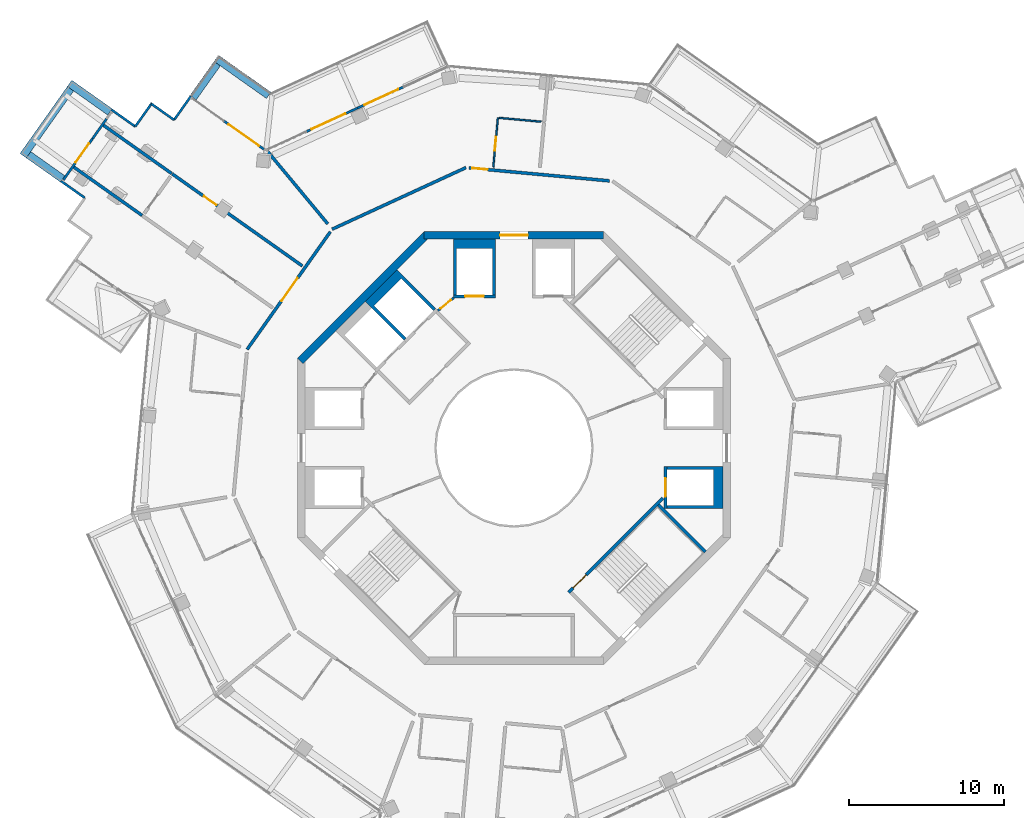
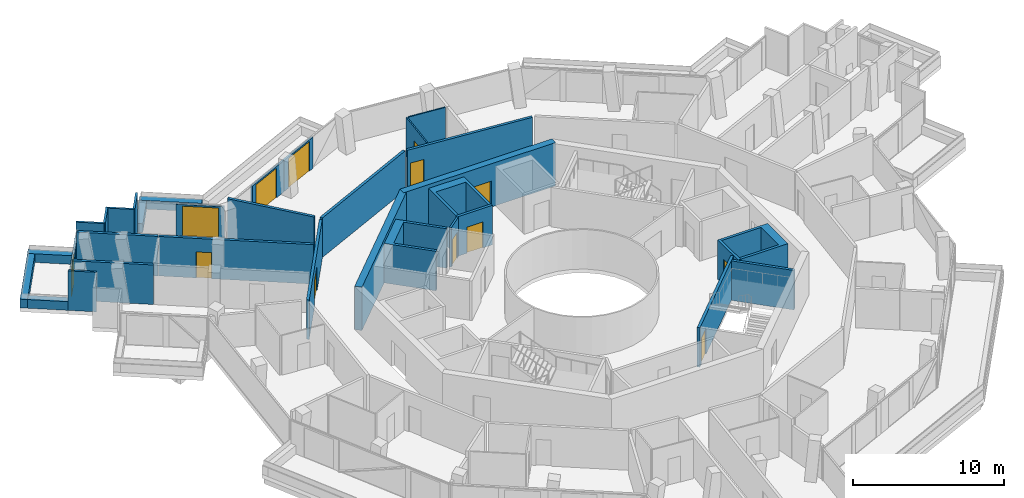
# One storey, part 18 of 23: 34 walls, 13 doors, 13 openings.
"""IFC4 building model written with IfcOpenShell, lengths in metres."""

from ifc_helpers import new_model, si_unit, direction, frame, frame_2d, origin, place, context, subcontext, project, spatial, polyline, rectangle, outline, extrude, material, layer, layer_set, type_object, element, fill, save


model = new_model("IFC4")

# Units and contexts
model_context = context("Model", 3, precision=1e-05, world=origin(), true_north=direction((0.0, 1.0)))
body_context = subcontext(model_context, "Body", "Model", "MODEL_VIEW")
ifc_project = project(units=[si_unit("LENGTHUNIT", "METRE"), si_unit("AREAUNIT", "SQUARE_METRE"), si_unit("VOLUMEUNIT", "CUBIC_METRE"), si_unit("PLANEANGLEUNIT", "RADIAN"), si_unit("MASSUNIT", "GRAM", prefix="KILO")], contexts=[model_context])

# Site, building, storey
site_placement = place(None, origin())
site = spatial("IfcSite", under=ifc_project, at=site_placement, CompositionType="ELEMENT")
building_placement = place(site_placement, origin())
building = spatial("IfcBuilding", under=site, at=building_placement, Name="Verdalira Terraces Hotel", CompositionType="ELEMENT")
storey_placement = place(building_placement, frame((0.0, 0.0, 256.0)))
storey = spatial("IfcBuildingStorey", under=building, at=storey_placement, Name="L63", CompositionType="ELEMENT", Elevation=256.0)

# Walls
ifc_material_1 = material(Name="Concrete C40", Category="concrete")
ifc_layer_1 = layer(ifc_material_1, 0.5)
ifc_layer_set_1 = layer_set([ifc_layer_1], Name="Balcony planter trough with tree")
wall_type_1 = type_object("IfcWallType", Name="Balcony planter trough with tree", PredefinedType="SOLIDWALL", material=ifc_layer_set_1)
wall_1_placement = place(storey_placement, frame((-26.106689, 21.717041, 0.0), z_axis=(0.0, 0.0, 1.0), x_axis=(-0.816349819, 0.577557766, 0.0)))
element("IfcWall", 1, at=wall_1_placement, inside=storey, type_object=wall_type_1, Name="Balcony planter", PredefinedType="SOLIDWALL", context=body_context, shape_type="SweptSolid", body=[
    extrude(rectangle(XDim=3.198975, YDim=0.5, at=frame_2d((1.599609, 0.0))), origin(), (0.0, 0.0, 1.0), 0.699951),
])
wall_2_placement = place(storey_placement, frame((-28.658447, 23.216309, 0.0), z_axis=(0.0, 0.0, 1.0), x_axis=(-0.577554581, -0.816352072, 0.0)))
element("IfcWall", 2, at=wall_2_placement, inside=storey, type_object=wall_type_1, Name="Balcony planter", PredefinedType="SOLIDWALL", context=body_context, shape_type="SweptSolid", body=[
    extrude(rectangle(XDim=5.300049, YDim=0.5, at=frame_2d((2.649902, 0.0))), origin(), (0.0, 0.0, 1.0), 0.699951),
])
wall_3_placement = place(storey_placement, frame((-31.371094, 18.949463, 0.0), z_axis=(0.0, 0.0, 1.0), x_axis=(0.816310579, -0.577613225, 0.0)))
element("IfcWall", 3, at=wall_3_placement, inside=storey, type_object=wall_type_1, Name="Balcony planter", PredefinedType="SOLIDWALL", context=body_context, shape_type="SweptSolid", body=[
    extrude(rectangle(XDim=2.699219, YDim=0.5, at=frame_2d((1.349609, 0.0))), origin(), (0.0, 0.0, 1.0), 0.699951),
])
wall_4_placement = place(storey_placement, frame((-15.853271, 22.79248, 0.0), z_axis=(0.0, 0.0, 1.0), x_axis=(-0.816345925, 0.57756327, 0.0)))
element("IfcWall", 4, at=wall_4_placement, inside=storey, type_object=wall_type_1, Name="Balcony planter", PredefinedType="SOLIDWALL", context=body_context, shape_type="SweptSolid", body=[
    extrude(rectangle(XDim=4.147949, YDim=0.5, at=frame_2d((2.073975, 0.0))), origin(), (0.0, 0.0, 1.0), 0.699951),
])
wall_5_placement = place(storey_placement, frame((-19.179932, 24.839844, 0.0), z_axis=(0.0, 0.0, 1.0), x_axis=(-0.577552948, -0.816353227, 0.0)))
element("IfcWall", 5, at=wall_5_placement, inside=storey, type_object=wall_type_1, Name="Balcony planter", PredefinedType="SOLIDWALL", context=body_context, shape_type="SweptSolid", body=[
    extrude(rectangle(XDim=2.698975, YDim=0.5, at=frame_2d((1.349609, 0.0))), origin(), (0.0, 0.0, 1.0), 0.699951),
])

# Wall, opening, door
ifc_material_2 = material(Name="Moisture-resistant gypsum board partition")
ifc_layer_2 = layer(ifc_material_2, 0.10009765625)
ifc_layer_set_2 = layer_set([ifc_layer_2], Name="Bathroom partition 100 mm")
wall_type_2 = type_object("IfcWallType", Name="Bathroom partition 100 mm", PredefinedType="PARTITIONING", material=ifc_layer_set_2)
wall_6_placement = place(storey_placement, frame((-1.040283, 21.344482, 0.0), z_axis=(0.0, 0.0, 1.0), x_axis=(-0.09201469, -0.99575765, 0.0)))
wall_6 = element("IfcWall", 6, at=wall_6_placement, inside=storey, type_object=wall_type_2, Name="Bathroom partition", PredefinedType="PARTITIONING", context=body_context, shape_type="SweptSolid", body=[
    extrude(rectangle(XDim=3.199951, YDim=0.100098, at=frame_2d((1.600098, 0.0))), origin(), (0.0, 0.0, 1.0), 3.189941),
])
opening_1_placement = place(wall_6_placement, frame((1.25, 0.0, 0.0)))
opening_1 = element("IfcOpeningElement", 7, at=opening_1_placement, cuts=wall_6, Name="Opening L63-128", PredefinedType="OPENING", context=body_context, shape_type="SweptSolid", body=[
    extrude(rectangle(XDim=0.899902, YDim=2.100098, at=frame_2d((0.449951, 1.050049))), frame((0.0, 0.060059, 0.0), z_axis=(0.0, -1.0, 0.0), x_axis=(1.0, 0.0, 0.0)), (0.0, 0.0, 1.0), 0.120117),
])
ifc_material_3 = material(Name="Timber door", Category="wood")
door_type_1 = type_object("IfcDoorType", Name="Bathroom door 900 x 2100", OperationType="NOTDEFINED", PredefinedType="DOOR", material=ifc_material_3)
door_1_placement = place(opening_1_placement, origin())
door_1 = element("IfcDoor", 8, at=door_1_placement, inside=storey, type_object=door_type_1, Name="Bathroom door 6312", OperationType="SINGLE_SWING_LEFT", OverallHeight=2.10009765625, OverallWidth=0.89990234375, PredefinedType="DOOR", context=body_context, shape_type="SweptSolid", body=[
    extrude(rectangle(XDim=0.899902, YDim=2.100098, at=frame_2d((0.449951, 1.050049))), frame((0.0, 0.024902, 0.0), z_axis=(0.0, -1.0, 0.0), x_axis=(1.0, 0.0, 0.0)), (0.0, 0.0, 1.0), 0.050049),
])
fill(opening_1, door_1)

# Walls
wall_7_placement = place(storey_placement, frame((-0.940674, 21.335449, 0.0), z_axis=(0.0, 0.0, 1.0), x_axis=(0.995754192, -0.092052104, 0.0)))
element("IfcWall", 9, at=wall_7_placement, inside=storey, type_object=wall_type_2, Name="Bathroom partition", PredefinedType="PARTITIONING", context=body_context, shape_type="SweptSolid", body=[
    extrude(rectangle(XDim=2.699951, YDim=0.100098, at=frame_2d((1.350098, 0.0))), origin(), (0.0, 0.0, 1.0), 3.189941),
])
ifc_material_4 = material(Name="Concrete C50", Category="concrete")
ifc_layer_3 = layer(ifc_material_4, 0.199951171875)
ifc_layer_set_3 = layer_set([ifc_layer_3], Name="Core RC wall 200 C50")
wall_type_3 = type_object("IfcWallType", Name="Core RC wall 200 C50", PredefinedType="SOLIDWALL", material=ifc_layer_set_3)
wall_8_placement = place(storey_placement, origin())
element("IfcWall", 10, at=wall_8_placement, inside=storey, type_object=wall_type_3, Name="L63 shaft wall E1", PredefinedType="SOLIDWALL", context=body_context, shape_type="SweptSolid", body=[
    extrude(outline(polyline([(13.5, -3.899902), (9.899902, -3.899902), (9.899902, -3.699951), (12.899902, -3.699951), (12.899902, -1.399902), (9.899902, -1.399902), (9.899902, -1.199951), (13.5, -1.199951), (13.5, -3.899902)])), origin(), (0.0, 0.0, 1.0), 3.189941),
])

# Wall, opening, door
wall_9_placement = place(storey_placement, frame((9.800049, -1.199951, 0.0), z_axis=(0.0, 0.0, 1.0), x_axis=(0.0, -1.0, 0.0)))
wall_9 = element("IfcWall", 11, at=wall_9_placement, inside=storey, type_object=wall_type_3, Name="L63 shaft front wall E1", PredefinedType="SOLIDWALL", context=body_context, shape_type="SweptSolid", body=[
    extrude(rectangle(XDim=2.699951, YDim=0.199951, at=frame_2d((1.350098, 0.0))), origin(), (0.0, 0.0, 1.0), 3.189941),
])
opening_2_placement = place(wall_9_placement, frame((0.75, 0.0, 0.0)))
opening_2 = element("IfcOpeningElement", 12, at=opening_2_placement, cuts=wall_9, Name="Opening LD-L63-802", PredefinedType="OPENING", context=body_context, shape_type="SweptSolid", body=[
    extrude(rectangle(XDim=1.199951, YDim=2.100098, at=frame_2d((0.600098, 1.050049))), frame((0.0, 0.109863, 0.0), z_axis=(0.0, -1.0, 0.0), x_axis=(1.0, 0.0, 0.0)), (0.0, 0.0, 1.0), 0.219971),
])
ifc_material_5 = material(Name="Stainless steel", Category="steel")
door_type_2 = type_object("IfcDoorType", Name="Landing door 1200 x 2100", OperationType="NOTDEFINED", PredefinedType="DOOR", material=ifc_material_5)
door_2_placement = place(opening_2_placement, origin())
door_2 = element("IfcDoor", 13, at=door_2_placement, inside=storey, type_object=door_type_2, Name="Lift landing door HR1 L63", OperationType="DOUBLE_DOOR_SLIDING", OverallHeight=2.10009765625, OverallWidth=1.199951171875, PredefinedType="DOOR", context=body_context, shape_type="SweptSolid", body=[
    extrude(rectangle(XDim=1.199951, YDim=2.100098, at=frame_2d((0.600098, 1.050049))), frame((0.0, 0.024902, 0.0), z_axis=(0.0, -1.0, 0.0), x_axis=(1.0, 0.0, 0.0)), (0.0, 0.0, 1.0), 0.050049),
])
fill(opening_2, door_2)

# Wall
wall_10_placement = place(storey_placement, origin())
element("IfcWall", 14, at=wall_10_placement, inside=storey, type_object=wall_type_3, Name="L63 shaft wall N2", PredefinedType="SOLIDWALL", context=body_context, shape_type="SweptSolid", body=[
    extrude(outline(polyline([(-3.899902, 13.5), (-1.199951, 13.5), (-1.199951, 9.899902), (-1.399902, 9.899902), (-1.399902, 12.899902), (-3.699951, 12.899902), (-3.699951, 9.899902), (-3.899902, 9.899902), (-3.899902, 13.5)])), origin(), (0.0, 0.0, 1.0), 3.189941),
])

# Wall, opening, door
wall_11_placement = place(storey_placement, frame((-1.199951, 9.800049, 0.0), z_axis=(0.0, 0.0, 1.0), x_axis=(-1.0, 0.0, 0.0)))
wall_11 = element("IfcWall", 15, at=wall_11_placement, inside=storey, type_object=wall_type_3, Name="L63 shaft front wall N2", PredefinedType="SOLIDWALL", context=body_context, shape_type="SweptSolid", body=[
    extrude(rectangle(XDim=2.699951, YDim=0.199951, at=frame_2d((1.350098, 0.0))), origin(), (0.0, 0.0, 1.0), 3.189941),
])
opening_3_placement = place(wall_11_placement, frame((0.75, 0.0, 0.0)))
opening_3 = element("IfcOpeningElement", 16, at=opening_3_placement, cuts=wall_11, Name="Opening LD-L63-805", PredefinedType="OPENING", context=body_context, shape_type="SweptSolid", body=[
    extrude(rectangle(XDim=1.199951, YDim=2.100098, at=frame_2d((0.600098, 1.050049))), frame((0.0, 0.109863, 0.0), z_axis=(0.0, -1.0, 0.0), x_axis=(1.0, 0.0, 0.0)), (0.0, 0.0, 1.0), 0.219971),
])
door_3_placement = place(opening_3_placement, origin())
door_3 = element("IfcDoor", 17, at=door_3_placement, inside=storey, type_object=door_type_2, Name="Lift landing door HR4 L63", OperationType="DOUBLE_DOOR_SLIDING", OverallHeight=2.10009765625, OverallWidth=1.199951171875, PredefinedType="DOOR", context=body_context, shape_type="SweptSolid", body=[
    extrude(rectangle(XDim=1.199951, YDim=2.100098, at=frame_2d((0.600098, 1.050049))), frame((0.0, 0.024902, 0.0), z_axis=(0.0, -1.0, 0.0), x_axis=(1.0, 0.0, 0.0)), (0.0, 0.0, 1.0), 0.050049),
])
fill(opening_3, door_3)

# Wall
wall_12_placement = place(storey_placement, origin())
element("IfcWall", 18, at=wall_12_placement, inside=storey, type_object=wall_type_3, Name="L63 shaft wall F1", PredefinedType="SOLIDWALL", context=body_context, shape_type="SweptSolid", body=[
    extrude(outline(polyline([(-9.616699, 9.475098), (-7.565918, 11.525879), (-5.055908, 9.015625), (-5.197266, 8.874268), (-7.283203, 10.960205), (-9.051025, 9.192383), (-6.965088, 7.106445), (-7.106445, 6.965088), (-9.616699, 9.475098)])), origin(), (0.0, 0.0, 1.0), 3.189941),
])

# Wall, opening, door
wall_13_placement = place(storey_placement, frame((9.629395, -3.23999, 0.0), z_axis=(0.0, 0.0, 1.0), x_axis=(-0.707120946, -0.707092617, 0.0)))
wall_13 = element("IfcWall", 19, at=wall_13_placement, inside=storey, type_object=wall_type_3, Name="L63 stair ST3 front wall", PredefinedType="SOLIDWALL", context=body_context, shape_type="SweptSolid", body=[
    extrude(rectangle(XDim=8.61792, YDim=0.199951, at=frame_2d((4.309082, 0.0))), origin(), (0.0, 0.0, 1.0), 3.189941),
])
opening_4_placement = place(wall_13_placement, frame((7.017822, 0.0, 0.0)))
opening_4 = element("IfcOpeningElement", 20, at=opening_4_placement, cuts=wall_13, Name="Opening L63-812", PredefinedType="OPENING", context=body_context, shape_type="SweptSolid", body=[
    extrude(rectangle(XDim=1.199951, YDim=2.100098, at=frame_2d((0.600098, 1.050049))), frame((0.0, 0.109863, 0.0), z_axis=(0.0, -1.0, 0.0), x_axis=(1.0, 0.0, 0.0)), (0.0, 0.0, 1.0), 0.219971),
])
ifc_material_6 = material(Name="Steel fire door", Category="steel")
door_type_3 = type_object("IfcDoorType", Name="Stair door 1200 x 2100", OperationType="NOTDEFINED", PredefinedType="DOOR", material=ifc_material_6)
door_4_placement = place(opening_4_placement, origin())
door_4 = element("IfcDoor", 21, at=door_4_placement, inside=storey, type_object=door_type_3, Name="Stair door ST3 L63", OperationType="SINGLE_SWING_RIGHT", OverallHeight=2.10009765625, OverallWidth=1.199951171875, PredefinedType="DOOR", context=body_context, shape_type="SweptSolid", body=[
    extrude(rectangle(XDim=1.199951, YDim=2.100098, at=frame_2d((0.600098, 1.050049))), frame((0.0, 0.024902, 0.0), z_axis=(0.0, -1.0, 0.0), x_axis=(1.0, 0.0, 0.0)), (0.0, 0.0, 1.0), 0.050049),
])
fill(opening_4, door_4)

# Wall
wall_14_placement = place(storey_placement, frame((9.33374, -3.677002, 0.0), z_axis=(0.0, 0.0, 1.0), x_axis=(0.707135168, -0.707078393, 0.0)))
element("IfcWall", 22, at=wall_14_placement, inside=storey, type_object=wall_type_3, Name="L63 stair ST3 end wall 2", PredefinedType="SOLIDWALL", context=body_context, shape_type="SweptSolid", body=[
    extrude(rectangle(XDim=4.300049, YDim=0.199951, at=frame_2d((2.149902, 0.0))), origin(), (0.0, 0.0, 1.0), 3.189941),
])

# Wall, opening, door
ifc_material_7 = material(Name="Gypsum board partition")
ifc_layer_4 = layer(ifc_material_7, 0.14990234375)
ifc_layer_set_4 = layer_set([ifc_layer_4], Name="Core partition 150 mm")
wall_type_4 = type_object("IfcWallType", Name="Core partition 150 mm", PredefinedType="PARTITIONING", material=ifc_layer_set_4)
wall_15_placement = place(storey_placement, frame((-3.899902, 9.699951, 0.0), z_axis=(0.0, 0.0, 1.0), x_axis=(-0.775559878, -0.631274009, 0.0)))
wall_15 = element("IfcWall", 23, at=wall_15_placement, inside=storey, type_object=wall_type_4, Name="Room partition L63", PredefinedType="PARTITIONING", context=body_context, shape_type="SweptSolid", body=[
    extrude(rectangle(XDim=1.307861, YDim=0.149902, at=frame_2d((0.653809, 0.0))), origin(), (0.0, 0.0, 1.0), 3.189941),
])
opening_5_placement = place(wall_15_placement, frame((0.204102, 0.0, 0.0)))
opening_5 = element("IfcOpeningElement", 24, at=opening_5_placement, cuts=wall_15, Name="Opening L63-820", PredefinedType="OPENING", context=body_context, shape_type="SweptSolid", body=[
    extrude(rectangle(XDim=0.899902, YDim=2.100098, at=frame_2d((0.449951, 1.050049))), frame((0.0, 0.084961, 0.0), z_axis=(0.0, -1.0, 0.0), x_axis=(1.0, 0.0, 0.0)), (0.0, 0.0, 1.0), 0.169922),
])
ifc_material_8 = material(Name="Steel fire door", Category="steel")
door_type_4 = type_object("IfcDoorType", Name="Core room door 900 x 2100", OperationType="NOTDEFINED", PredefinedType="DOOR", material=ifc_material_8)
door_5_placement = place(opening_5_placement, origin())
door_5 = element("IfcDoor", 25, at=door_5_placement, inside=storey, type_object=door_type_4, Name="Door L63 room2", OperationType="SINGLE_SWING_LEFT", OverallHeight=2.10009765625, OverallWidth=0.89990234375, PredefinedType="DOOR", context=body_context, shape_type="SweptSolid", body=[
    extrude(rectangle(XDim=0.899902, YDim=2.100098, at=frame_2d((0.449951, 1.050049))), frame((0.0, 0.024902, 0.0), z_axis=(0.0, -1.0, 0.0), x_axis=(1.0, 0.0, 0.0)), (0.0, 0.0, 1.0), 0.050049),
])
fill(opening_5, door_5)

ifc_material_9 = material(Name="Concrete C50", Category="concrete")
ifc_layer_5 = layer(ifc_material_9, 0.5)
ifc_layer_set_5 = layer_set([ifc_layer_5], Name="Core wall 500 C50")
wall_type_5 = type_object("IfcWallType", Name="Core wall 500 C50", PredefinedType="SHEAR", material=ifc_layer_set_5)
wall_16_placement = place(storey_placement, frame((5.799072, 13.75, 0.0), z_axis=(0.0, 0.0, 1.0), x_axis=(-1.0, 0.0, 0.0)))
wall_16 = element("IfcWall", 26, at=wall_16_placement, inside=storey, type_object=wall_type_5, Name="Core wall CW-L63-3", PredefinedType="SHEAR", context=body_context, shape_type="SweptSolid", body=[
    extrude(rectangle(XDim=11.598145, YDim=0.5, at=frame_2d((5.799072, 0.0))), origin(), (0.0, 0.0, 1.0), 3.5),
])
opening_6_placement = place(wall_16_placement, frame((4.898926, 0.0, 0.0)))
opening_6 = element("IfcOpeningElement", 27, at=opening_6_placement, cuts=wall_16, Name="Opening L63-814", PredefinedType="OPENING", context=body_context, shape_type="SweptSolid", body=[
    extrude(rectangle(XDim=1.800049, YDim=2.100098, at=frame_2d((0.899902, 1.050049))), frame((0.0, 0.26001, 0.0), z_axis=(0.0, -1.0, 0.0), x_axis=(1.0, 0.0, 0.0)), (0.0, 0.0, 1.0), 0.52002),
])
ifc_material_10 = material(Name="Steel fire door", Category="steel")
door_type_5 = type_object("IfcDoorType", Name="Core entry door pair 1800 x 2100", OperationType="NOTDEFINED", PredefinedType="DOOR", material=ifc_material_10)
door_6_placement = place(opening_6_placement, origin())
door_6 = element("IfcDoor", 28, at=door_6_placement, inside=storey, type_object=door_type_5, Name="Core entry door L63 2", OperationType="DOUBLE_DOOR_SINGLE_SWING", OverallHeight=2.10009765625, OverallWidth=1.800048828125, PredefinedType="DOOR", context=body_context, shape_type="SweptSolid", body=[
    extrude(rectangle(XDim=1.800049, YDim=2.100098, at=frame_2d((0.899902, 1.050049))), frame((0.0, 0.024902, 0.0), z_axis=(0.0, -1.0, 0.0), x_axis=(1.0, 0.0, 0.0)), (0.0, 0.0, 1.0), 0.050049),
])
fill(opening_6, door_6)

# Walls
wall_17_placement = place(storey_placement, frame((-5.622314, 13.823242, 0.0), z_axis=(0.0, 0.0, 1.0), x_axis=(-0.707106781, -0.707106781, 0.0)))
element("IfcWall", 29, at=wall_17_placement, inside=storey, type_object=wall_type_5, Name="Core wall CW-L63-4", PredefinedType="SHEAR", context=body_context, shape_type="SweptSolid", body=[
    extrude(rectangle(XDim=11.5979, YDim=0.5, at=frame_2d((5.798828, 0.0))), origin(), (0.0, 0.0, 1.0), 3.5),
])
ifc_material_11 = material(Name="Fire-rated gypsum board wall")
ifc_layer_6 = layer(ifc_material_11, 0.199951171875)
ifc_layer_set_6 = layer_set([ifc_layer_6], Name="Demising wall 200 mm")
wall_type_6 = type_object("IfcWallType", Name="Demising wall 200 mm", PredefinedType="SOLIDWALL", material=ifc_layer_set_6)
for number, where, z_axis, x_axis, name in (
    (30, (-28.443848, 18.152344, 0.0), (0.0, 0.0, 1.0), (0.81633814, -0.577574273, 0.0), "Demising wall"),
    (31, (-22.122803, 17.740723, 0.0), (0.0, 0.0, 1.0), (-0.81633814, 0.577574273, 0.0), "Demising wall"),
):
    element("IfcWall", number, at=place(storey_placement, frame(where, z_axis=z_axis, x_axis=x_axis)), inside=storey, type_object=wall_type_6, Name=name, PredefinedType="SOLIDWALL", context=body_context, shape_type="SweptSolid", body=[
        extrude(rectangle(XDim=5.397949, YDim=0.199951, at=frame_2d((2.698975, 0.0))), origin(), (0.0, 0.0, 1.0), 3.189941),
    ])

# Wall, opening, door
wall_18_placement = place(storey_placement, frame((-22.085449, 17.714111, 0.0), z_axis=(0.0, 0.0, 1.0), x_axis=(0.816344784, -0.577564883, 0.0)))
wall_18 = element("IfcWall", 32, at=wall_18_placement, inside=storey, type_object=wall_type_6, Name="Demising wall", PredefinedType="SOLIDWALL", context=body_context, shape_type="SweptSolid", body=[
    extrude(rectangle(XDim=10.302246, YDim=0.199951, at=frame_2d((5.151123, 0.0))), origin(), (0.0, 0.0, 1.0), 3.189941),
])
opening_7_placement = place(wall_18_placement, frame((2.5, 0.0, 0.0)))
opening_7 = element("IfcOpeningElement", 33, at=opening_7_placement, cuts=wall_18, Name="Opening L63-102", PredefinedType="OPENING", context=body_context, shape_type="SweptSolid", body=[
    extrude(rectangle(XDim=1.0, YDim=2.100098, at=frame_2d((0.5, 1.050049))), frame((0.0, 0.109863, 0.0), z_axis=(0.0, -1.0, 0.0), x_axis=(1.0, 0.0, 0.0)), (0.0, 0.0, 1.0), 0.219971),
])
ifc_material_12 = material(Name="Timber fire door", Category="wood")
door_type_6 = type_object("IfcDoorType", Name="Public room door 1000 x 2100", OperationType="NOTDEFINED", PredefinedType="DOOR", material=ifc_material_12)
door_7_placement = place(opening_7_placement, origin())
door_7 = element("IfcDoor", 34, at=door_7_placement, inside=storey, type_object=door_type_6, Name="Public room door 6301", OperationType="SINGLE_SWING_LEFT", OverallHeight=2.10009765625, OverallWidth=1.0, PredefinedType="DOOR", context=body_context, shape_type="SweptSolid", body=[
    extrude(rectangle(XDim=1.0, YDim=2.100098, at=frame_2d((0.5, 1.050049))), frame((0.0, 0.024902, 0.0), z_axis=(0.0, -1.0, 0.0), x_axis=(1.0, 0.0, 0.0)), (0.0, 0.0, 1.0), 0.050049),
])
fill(opening_7, door_7)

# Wall
wall_19_placement = place(storey_placement, frame((-15.952881, 19.201904, 0.0), z_axis=(0.0, 0.0, 1.0), x_axis=(0.639032378, -0.769179836, 0.0)))
element("IfcWall", 35, at=wall_19_placement, inside=storey, type_object=wall_type_6, Name="Demising wall", PredefinedType="SOLIDWALL", context=body_context, shape_type="SweptSolid", body=[
    extrude(rectangle(XDim=6.132324, YDim=0.199951, at=frame_2d((3.066162, 0.0))), origin(), (0.0, 0.0, 1.0), 3.189941),
])

# Wall, opening, door
ifc_material_13 = material(Name="Fire-rated gypsum board wall")
ifc_layer_7 = layer(ifc_material_13, 0.199951171875)
ifc_layer_set_7 = layer_set([ifc_layer_7], Name="Guest corridor wall 200 mm")
wall_type_7 = type_object("IfcWallType", Name="Guest corridor wall 200 mm", PredefinedType="SOLIDWALL", material=ifc_layer_set_7)
wall_20_placement = place(storey_placement, frame((-17.245117, 6.372314, 0.0), z_axis=(0.0, 0.0, 1.0), x_axis=(0.577581016, 0.81633337, 0.0)))
wall_20 = element("IfcWall", 36, at=wall_20_placement, inside=storey, type_object=wall_type_7, Name="Guest corridor wall", PredefinedType="SOLIDWALL", context=body_context, shape_type="SweptSolid", body=[
    extrude(rectangle(XDim=9.31665, YDim=0.199951, at=frame_2d((4.658203, 0.0))), origin(), (0.0, 0.0, 1.0), 3.189941),
])
opening_8_placement = place(wall_20_placement, frame((3.848389, 0.0, 0.0)))
opening_8 = element("IfcOpeningElement", 37, at=opening_8_placement, cuts=wall_20, Name="Opening L63-101", PredefinedType="OPENING", context=body_context, shape_type="SweptSolid", body=[
    extrude(rectangle(XDim=1.800049, YDim=2.100098, at=frame_2d((0.899902, 1.050049))), frame((0.0, 0.109863, 0.0), z_axis=(0.0, -1.0, 0.0), x_axis=(1.0, 0.0, 0.0)), (0.0, 0.0, 1.0), 0.219971),
])
ifc_material_14 = material(Name="Timber fire door", Category="wood")
door_type_7 = type_object("IfcDoorType", Name="Public room double door 1800 x 2100", OperationType="NOTDEFINED", PredefinedType="DOOR", material=ifc_material_14)
door_8_placement = place(opening_8_placement, origin())
door_8 = element("IfcDoor", 38, at=door_8_placement, inside=storey, type_object=door_type_7, Name="Public room double door 6301", OperationType="DOUBLE_DOOR_SINGLE_SWING", OverallHeight=2.10009765625, OverallWidth=1.800048828125, PredefinedType="DOOR", context=body_context, shape_type="SweptSolid", body=[
    extrude(rectangle(XDim=1.800049, YDim=2.100098, at=frame_2d((0.899902, 1.050049))), frame((0.0, 0.024902, 0.0), z_axis=(0.0, -1.0, 0.0), x_axis=(1.0, 0.0, 0.0)), (0.0, 0.0, 1.0), 0.050049),
])
fill(opening_8, door_8)

# Wall
wall_21_placement = place(storey_placement, frame((-3.104492, 18.120605, 0.0), z_axis=(0.0, 0.0, 1.0), x_axis=(-0.908361445, -0.418185945, 0.0)))
element("IfcWall", 39, at=wall_21_placement, inside=storey, type_object=wall_type_7, Name="Guest corridor wall", PredefinedType="SOLIDWALL", context=body_context, shape_type="SweptSolid", body=[
    extrude(rectangle(XDim=9.516113, YDim=0.199951, at=frame_2d((4.758057, 0.0))), origin(), (0.0, 0.0, 1.0), 3.189941),
])

# Wall, opening, door
wall_22_placement = place(storey_placement, frame((-2.904297, 18.102295, 0.0), z_axis=(0.0, 0.0, 1.0), x_axis=(0.995759095, -0.091999045, 0.0)))
wall_22 = element("IfcWall", 40, at=wall_22_placement, inside=storey, type_object=wall_type_7, Name="Guest corridor wall", PredefinedType="SOLIDWALL", context=body_context, shape_type="SweptSolid", body=[
    extrude(rectangle(XDim=9.115479, YDim=0.199951, at=frame_2d((4.557617, 0.0))), origin(), (0.0, 0.0, 1.0), 3.189941),
])
opening_9_placement = place(wall_22_placement, frame((0.199951, 0.0, 0.0)))
opening_9 = element("IfcOpeningElement", 41, at=opening_9_placement, cuts=wall_22, Name="Opening L63-127", PredefinedType="OPENING", context=body_context, shape_type="SweptSolid", body=[
    extrude(rectangle(XDim=1.0, YDim=2.100098, at=frame_2d((0.5, 1.050049))), frame((0.0, 0.109863, 0.0), z_axis=(0.0, -1.0, 0.0), x_axis=(1.0, 0.0, 0.0)), (0.0, 0.0, 1.0), 0.219971),
])
ifc_material_15 = material(Name="Timber fire door", Category="wood")
door_type_8 = type_object("IfcDoorType", Name="Guest entry door 1000 x 2100", OperationType="NOTDEFINED", PredefinedType="DOOR", material=ifc_material_15)
door_9_placement = place(opening_9_placement, origin())
door_9 = element("IfcDoor", 42, at=door_9_placement, inside=storey, type_object=door_type_8, Name="Guest entry door 6312", OperationType="SINGLE_SWING_LEFT", OverallHeight=2.10009765625, OverallWidth=1.0, PredefinedType="DOOR", context=body_context, shape_type="SweptSolid", body=[
    extrude(rectangle(XDim=1.0, YDim=2.100098, at=frame_2d((0.5, 1.050049))), frame((0.0, 0.024902, 0.0), z_axis=(0.0, -1.0, 0.0), x_axis=(1.0, 0.0, 0.0)), (0.0, 0.0, 1.0), 0.050049),
])
fill(opening_9, door_9)

# Walls
ifc_material_16 = material(Name="Terracotta cladding", Category="masonry")
ifc_layer_8 = layer(ifc_material_16, 0.14990234375)
ifc_layer_set_8 = layer_set([ifc_layer_8], Name="Terracotta clad wall 150")
wall_type_8 = type_object("IfcWallType", Name="Terracotta clad wall 150", PredefinedType="SOLIDWALL", material=ifc_layer_set_8)
wall_23_placement = place(storey_placement, frame((-20.88208, 22.736816, 0.0), z_axis=(0.0, 0.0, 1.0), x_axis=(-0.577623474, -0.816303327, 0.0)))
element("IfcWall", 43, at=wall_23_placement, inside=storey, type_object=wall_type_8, Name="Terracotta cladding wall", PredefinedType="SOLIDWALL", context=body_context, shape_type="SweptSolid", body=[
    extrude(rectangle(XDim=1.875, YDim=0.149902, at=frame_2d((0.9375, 0.0))), origin(), (0.0, 0.0, 1.0), 3.189941),
])
wall_24_placement = place(storey_placement, frame((-21.965088, 21.206299, 0.0), z_axis=(0.0, 0.0, 1.0), x_axis=(-0.816373528, 0.577524253, 0.0)))
element("IfcWall", 44, at=wall_24_placement, inside=storey, type_object=wall_type_8, Name="Terracotta cladding wall", PredefinedType="SOLIDWALL", context=body_context, shape_type="SweptSolid", body=[
    extrude(rectangle(XDim=1.800049, YDim=0.149902, at=frame_2d((0.899902, 0.0))), origin(), (0.0, 0.0, 1.0), 3.189941),
])
for number, where, z_axis, x_axis, name in (
    (45, (-23.391113, 22.307129, 0.0), (0.0, 0.0, 1.0), (-0.577562082, -0.816346766, 0.0), "Terracotta cladding wall"),
    (46, (-24.474121, 20.776367, 0.0), (0.0, 0.0, 1.0), (-0.816346766, 0.577562082, 0.0), "Terracotta cladding wall"),
):
    element("IfcWall", number, at=place(storey_placement, frame(where, z_axis=z_axis, x_axis=x_axis)), inside=storey, type_object=wall_type_8, Name=name, PredefinedType="SOLIDWALL", context=body_context, shape_type="SweptSolid", body=[
        extrude(rectangle(XDim=1.875244, YDim=0.149902, at=frame_2d((0.9375, 0.0))), origin(), (0.0, 0.0, 1.0), 3.189941),
    ])
wall_25_placement = place(storey_placement, frame((-29.268066, 17.24707, 0.0), z_axis=(0.0, 0.0, 1.0), x_axis=(0.816303327, -0.577623474, 0.0)))
element("IfcWall", 47, at=wall_25_placement, inside=storey, type_object=wall_type_8, Name="Terracotta cladding wall", PredefinedType="SOLIDWALL", context=body_context, shape_type="SweptSolid", body=[
    extrude(rectangle(XDim=1.875, YDim=0.149902, at=frame_2d((0.9375, 0.0))), origin(), (0.0, 0.0, 1.0), 3.189941),
])
ifc_material_17 = material(Name="Terracotta cladding", Category="masonry")
ifc_layer_9 = layer(ifc_material_17, 0.14990234375)
ifc_layer_set_9 = layer_set([ifc_layer_9], Name="Terracotta column pier 150")
wall_type_9 = type_object("IfcWallType", Name="Terracotta column pier 150", PredefinedType="SOLIDWALL", material=ifc_layer_set_9)
wall_26_placement = place(storey_placement, frame((-26.327637, 21.273193, 0.0), z_axis=(0.0, 0.0, 1.0), x_axis=(-0.57752539, -0.816372724, 0.0)))
element("IfcWall", 48, at=wall_26_placement, inside=storey, type_object=wall_type_9, Name="Terracotta column pier", PredefinedType="SOLIDWALL", context=body_context, shape_type="SweptSolid", body=[
    extrude(rectangle(XDim=1.570068, YDim=0.149902, at=frame_2d((0.785156, 0.0))), origin(), (0.0, 0.0, 1.0), 2.524902),
])

# Wall, opening, door
ifc_material_18 = material(Name="Terracotta cladding", Category="masonry")
ifc_layer_10 = layer(ifc_material_18, 0.14990234375)
ifc_layer_set_10 = layer_set([ifc_layer_10], Name="Terracotta door pier 150")
wall_type_10 = type_object("IfcWallType", Name="Terracotta door pier 150", PredefinedType="SOLIDWALL", material=ifc_layer_set_10)
wall_27_placement = place(storey_placement, frame((-16.14917, 19.296387, 0.0), z_axis=(0.0, 0.0, 1.0), x_axis=(-0.816354224, 0.57755154, 0.0)))
wall_27 = element("IfcWall", 49, at=wall_27_placement, inside=storey, type_object=wall_type_10, Name="Terracotta door pier", PredefinedType="SOLIDWALL", context=body_context, shape_type="SweptSolid", body=[
    extrude(rectangle(XDim=3.199951, YDim=0.149902, at=frame_2d((1.600098, 0.0))), origin(), (0.0, 0.0, 1.0), 2.524902),
])
opening_10_placement = place(wall_27_placement, frame((0.399902, 0.0, 0.0)))
opening_10 = element("IfcOpeningElement", 50, at=opening_10_placement, cuts=wall_27, Name="Opening L63-B01", PredefinedType="OPENING", context=body_context, shape_type="SweptSolid", body=[
    extrude(rectangle(XDim=2.399902, YDim=2.399902, at=frame_2d((1.199951, 1.199951))), frame((0.0, 0.084961, 0.0), z_axis=(0.0, -1.0, 0.0), x_axis=(1.0, 0.0, 0.0)), (0.0, 0.0, 1.0), 0.169922),
])
ifc_material_19 = material(Name="Clear glass", Category="glass")
door_type_9 = type_object("IfcDoorType", Name="Balcony sliding door 2400x2400", OperationType="NOTDEFINED", PredefinedType="DOOR", material=ifc_material_19)
door_10_placement = place(opening_10_placement, origin())
door_10 = element("IfcDoor", 51, at=door_10_placement, inside=storey, type_object=door_type_9, Name="Balcony sliding door", OperationType="SLIDING_TO_LEFT", OverallHeight=2.39990234375, OverallWidth=2.39990234375, PredefinedType="DOOR", context=body_context, shape_type="SweptSolid", body=[
    extrude(rectangle(XDim=2.399902, YDim=2.399902, at=frame_2d((1.199951, 1.199951))), frame((0.0, 0.024902, 0.0), z_axis=(0.0, -1.0, 0.0), x_axis=(1.0, 0.0, 0.0)), (0.0, 0.0, 1.0), 0.050049),
])
fill(opening_10, door_10)

wall_28_placement = place(storey_placement, frame((-27.234375, 19.991455, 0.0), z_axis=(0.0, 0.0, 1.0), x_axis=(-0.577626634, -0.816301091, 0.0)))
wall_28 = element("IfcWall", 52, at=wall_28_placement, inside=storey, type_object=wall_type_10, Name="Terracotta door pier", PredefinedType="SOLIDWALL", context=body_context, shape_type="SweptSolid", body=[
    extrude(rectangle(XDim=3.26001, YDim=0.149902, at=frame_2d((1.629883, 0.0))), origin(), (0.0, 0.0, 1.0), 2.524902),
])
opening_11_placement = place(wall_28_placement, frame((0.399902, 0.0, 0.0)))
opening_11 = element("IfcOpeningElement", 53, at=opening_11_placement, cuts=wall_28, Name="Opening L63-B02", PredefinedType="OPENING", context=body_context, shape_type="SweptSolid", body=[
    extrude(rectangle(XDim=1.5, YDim=2.399902, at=frame_2d((0.75, 1.199951))), frame((0.0, 0.084961, 0.0), z_axis=(0.0, -1.0, 0.0), x_axis=(1.0, 0.0, 0.0)), (0.0, 0.0, 1.0), 0.169922),
])
ifc_material_20 = material(Name="Clear glass", Category="glass")
door_type_10 = type_object("IfcDoorType", Name="Balcony sliding door 1500x2400", OperationType="NOTDEFINED", PredefinedType="DOOR", material=ifc_material_20)
door_11_placement = place(opening_11_placement, origin())
door_11 = element("IfcDoor", 54, at=door_11_placement, inside=storey, type_object=door_type_10, Name="Balcony sliding door", OperationType="SLIDING_TO_RIGHT", OverallHeight=2.39990234375, OverallWidth=1.5, PredefinedType="DOOR", context=body_context, shape_type="SweptSolid", body=[
    extrude(rectangle(XDim=1.5, YDim=2.399902, at=frame_2d((0.75, 1.199951))), frame((0.0, 0.024902, 0.0), z_axis=(0.0, -1.0, 0.0), x_axis=(1.0, 0.0, 0.0)), (0.0, 0.0, 1.0), 0.050049),
])
fill(opening_11, door_11)

wall_29_placement = place(storey_placement, frame((-7.115479, 23.347168, 0.0), z_axis=(0.0, 0.0, 1.0), x_axis=(-0.908374691, -0.418157172, 0.0)))
wall_29 = element("IfcWall", 55, at=wall_29_placement, inside=storey, type_object=wall_type_10, Name="Terracotta door pier", PredefinedType="SOLIDWALL", context=body_context, shape_type="SweptSolid", body=[
    extrude(rectangle(XDim=3.299805, YDim=0.149902, at=frame_2d((1.649902, 0.0))), origin(), (0.0, 0.0, 1.0), 2.524902),
])
opening_12_placement = place(wall_29_placement, frame((0.399902, 0.0, 0.0)))
opening_12 = element("IfcOpeningElement", 56, at=opening_12_placement, cuts=wall_29, Name="Opening L63-B17", PredefinedType="OPENING", context=body_context, shape_type="SweptSolid", body=[
    extrude(rectangle(XDim=2.399902, YDim=2.399902, at=frame_2d((1.199951, 1.199951))), frame((0.0, 0.084961, 0.0), z_axis=(0.0, -1.0, 0.0), x_axis=(1.0, 0.0, 0.0)), (0.0, 0.0, 1.0), 0.169922),
])
door_12_placement = place(opening_12_placement, origin())
door_12 = element("IfcDoor", 57, at=door_12_placement, inside=storey, type_object=door_type_9, Name="Balcony sliding door", OperationType="SLIDING_TO_RIGHT", OverallHeight=2.39990234375, OverallWidth=2.39990234375, PredefinedType="DOOR", context=body_context, shape_type="SweptSolid", body=[
    extrude(rectangle(XDim=2.399902, YDim=2.399902, at=frame_2d((1.199951, 1.199951))), frame((0.0, 0.024902, 0.0), z_axis=(0.0, -1.0, 0.0), x_axis=(1.0, 0.0, 0.0)), (0.0, 0.0, 1.0), 0.050049),
])
fill(opening_12, door_12)

wall_30_placement = place(storey_placement, frame((-10.113037, 21.967285, 0.0), z_axis=(0.0, 0.0, 1.0), x_axis=(-0.908353196, -0.418203864, 0.0)))
wall_30 = element("IfcWall", 58, at=wall_30_placement, inside=storey, type_object=wall_type_10, Name="Terracotta door pier", PredefinedType="SOLIDWALL", context=body_context, shape_type="SweptSolid", body=[
    extrude(rectangle(XDim=3.661377, YDim=0.149902, at=frame_2d((1.830566, 0.0))), origin(), (0.0, 0.0, 1.0), 2.524902),
])
opening_13_placement = place(wall_30_placement, frame((0.861328, 0.0, 0.0)))
opening_13 = element("IfcOpeningElement", 59, at=opening_13_placement, cuts=wall_30, Name="Opening L63-B18", PredefinedType="OPENING", context=body_context, shape_type="SweptSolid", body=[
    extrude(rectangle(XDim=2.399902, YDim=2.399902, at=frame_2d((1.199951, 1.199951))), frame((0.0, 0.084961, 0.0), z_axis=(0.0, -1.0, 0.0), x_axis=(1.0, 0.0, 0.0)), (0.0, 0.0, 1.0), 0.169922),
])
door_13_placement = place(opening_13_placement, origin())
door_13 = element("IfcDoor", 60, at=door_13_placement, inside=storey, type_object=door_type_9, Name="Balcony sliding door", OperationType="SLIDING_TO_LEFT", OverallHeight=2.39990234375, OverallWidth=2.39990234375, PredefinedType="DOOR", context=body_context, shape_type="SweptSolid", body=[
    extrude(rectangle(XDim=2.399902, YDim=2.399902, at=frame_2d((1.199951, 1.199951))), frame((0.0, 0.024902, 0.0), z_axis=(0.0, -1.0, 0.0), x_axis=(1.0, 0.0, 0.0)), (0.0, 0.0, 1.0), 0.050049),
])
fill(opening_13, door_13)

save(model, "model.ifc")
